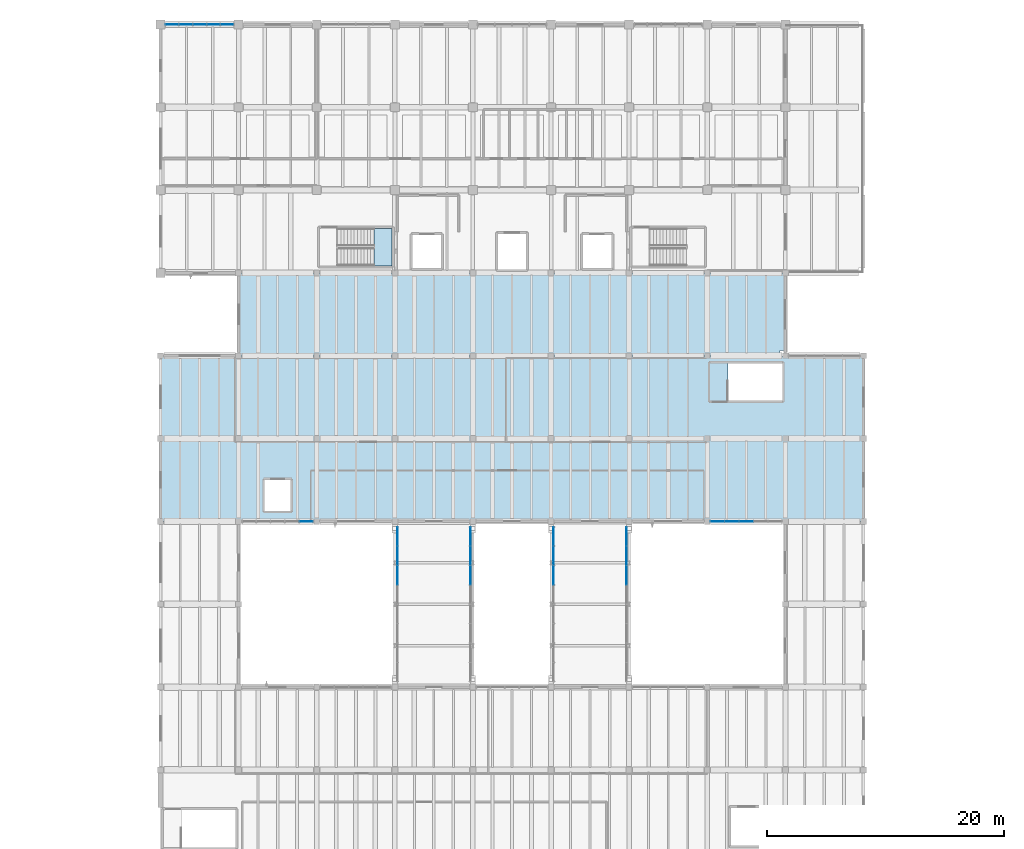
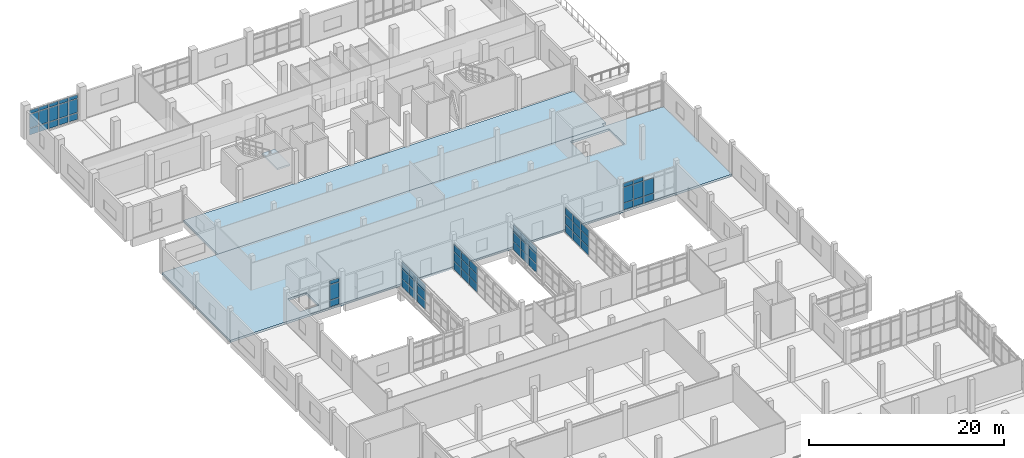
# One storey, part 42 of 65: 62 plates, 3 slabs, 8 elements without a shape of their own.
"""IFC4 building model written with IfcOpenShell, lengths in metres."""

from ifc_helpers import new_model, si_unit, direction, frame, origin, origin_2d, place, context, subcontext, project, spatial, polyline, rectangle, outline, extrude, material, layer, layer_set, type_object, element, aggregate, save


model = new_model("IFC4")

# Units and contexts
model_context = context("Model", 3, precision=1e-05, world=origin(), true_north=direction((0.0, 1.0)))
body_context = subcontext(model_context, "Body", "Model", "MODEL_VIEW")
ifc_project = project(units=[si_unit("LENGTHUNIT", "METRE"), si_unit("AREAUNIT", "SQUARE_METRE"), si_unit("VOLUMEUNIT", "CUBIC_METRE"), si_unit("PLANEANGLEUNIT", "RADIAN"), si_unit("MASSUNIT", "GRAM", prefix="KILO")], contexts=[model_context])

# Site, building, storey
site_placement = place(None, origin())
site = spatial("IfcSite", under=ifc_project, at=site_placement, CompositionType="ELEMENT")
building_placement = place(site_placement, origin())
building = spatial("IfcBuilding", under=site, at=building_placement, Name="Ciguamira Faculty of Natural Sciences", CompositionType="ELEMENT")
storey_placement = place(building_placement, frame((0.0, 0.0, 12.60009765625)))
storey = spatial("IfcBuildingStorey", under=building, at=storey_placement, Name="L03", CompositionType="ELEMENT", Elevation=12.60009765625)

# Curtain wall, plates
ifc_material_1 = material(Name="Anodized aluminium curtain wall", Category="aluminium")
curtain_wall_type_1 = type_object("IfcCurtainWallType", Name="CurtainWall_CW-09", PredefinedType="USERDEFINED", material=ifc_material_1)
curtain_wall_1_placement = place(storey_placement, origin())
curtain_wall_1 = element("IfcCurtainWall", 1, at=curtain_wall_1_placement, inside=storey, type_object=curtain_wall_type_1, Name="L03 unitised curtain wall 0093", ObjectType="UNITISED CURTAIN WALL", PredefinedType="USERDEFINED")
ifc_material_2 = material(Name="Low-E laminated solar glass", Category="glass")
ifc_layer_1 = layer(ifc_material_2, 0.028076171875, Name="Low-E laminated solar glass")
ifc_layer_set_1 = layer_set([ifc_layer_1], Name="Low-E laminated solar glass")
plate_type_1 = type_object("IfcPlateType", Name="CWPanel_CWP-01", PredefinedType="CURTAIN_PANEL", material=ifc_layer_set_1)
plate_1_placement = place(storey_placement, frame((69.6201171875, 73.0, 0.080078125), z_axis=(0.0, 0.0, 1.0), x_axis=(1.0, 0.0, 0.0)))
plate_1 = element("IfcPlate", 2, at=plate_1_placement, type_object=plate_type_1, Name="CW-09 panel 5.1", PredefinedType="CURTAIN_PANEL", context=body_context, shape_type="SweptSolid", body=[
    extrude(rectangle(XDim=1.10009765625, YDim=0.028076171875, at=origin_2d()), origin(), (0.0, 0.0, 1.0), 0.780029296875),
])
plate_2_placement = place(storey_placement, frame((69.6201171875, 73.0, 0.93994140625), z_axis=(0.0, 0.0, 1.0), x_axis=(1.0, 0.0, 0.0)))
plate_2 = element("IfcPlate", 3, at=plate_2_placement, type_object=plate_type_1, Name="CW-09 panel 5.2", PredefinedType="CURTAIN_PANEL", context=body_context, shape_type="SweptSolid", body=[
    extrude(rectangle(XDim=1.10009765625, YDim=0.028076171875, at=origin_2d()), origin(), (0.0, 0.0, 1.0), 1.875),
])
plate_3_placement = place(storey_placement, frame((69.6201171875, 73.0, 2.89501953125), z_axis=(0.0, 0.0, 1.0), x_axis=(1.0, 0.0, 0.0)))
plate_3 = element("IfcPlate", 4, at=plate_3_placement, type_object=plate_type_1, Name="CW-09 panel 5.3", PredefinedType="CURTAIN_PANEL", context=body_context, shape_type="SweptSolid", body=[
    extrude(rectangle(XDim=1.10009765625, YDim=0.028076171875, at=origin_2d()), origin(), (0.0, 0.0, 1.0), 0.429931640625),
])
aggregate(curtain_wall_1, [plate_1, plate_2, plate_3])

curtain_wall_type_2 = type_object("IfcCurtainWallType", Name="CurtainWall_CW-10", PredefinedType="USERDEFINED", material=ifc_material_1)
curtain_wall_2_placement = place(storey_placement, origin())
curtain_wall_2 = element("IfcCurtainWall", 5, at=curtain_wall_2_placement, inside=storey, type_object=curtain_wall_type_2, Name="Link bridge BR-3 glazed curtain wall W", ObjectType="UNITISED CURTAIN WALL", PredefinedType="USERDEFINED")
plate_4_placement = place(storey_placement, frame((77.320068359375, 68.456298828125, 0.06005859375), z_axis=(0.0, 0.0, 1.0), x_axis=(0.0, 1.0, 0.0)))
plate_4 = element("IfcPlate", 6, at=plate_4_placement, type_object=plate_type_1, Name="CW-10 panel 6.1", PredefinedType="CURTAIN_PANEL", context=body_context, shape_type="SweptSolid", body=[
    extrude(rectangle(XDim=1.577392578125, YDim=0.028076171875, at=origin_2d()), origin(), (0.0, 0.0, 1.0), 1.010009765625),
])
plate_5_placement = place(storey_placement, frame((77.320068359375, 68.456298828125, 1.1298828125), z_axis=(0.0, 0.0, 1.0), x_axis=(0.0, 1.0, 0.0)))
plate_5 = element("IfcPlate", 7, at=plate_5_placement, type_object=plate_type_1, Name="CW-10 panel 6.2", PredefinedType="CURTAIN_PANEL", context=body_context, shape_type="SweptSolid", body=[
    extrude(rectangle(XDim=1.577392578125, YDim=0.028076171875, at=origin_2d()), origin(), (0.0, 0.0, 1.0), 1.139892578125),
])
plate_6_placement = place(storey_placement, frame((77.320068359375, 68.456298828125, 2.330078125), z_axis=(0.0, 0.0, 1.0), x_axis=(0.0, 1.0, 0.0)))
plate_6 = element("IfcPlate", 8, at=plate_6_placement, type_object=plate_type_1, Name="CW-10 panel 6.3", PredefinedType="CURTAIN_PANEL", context=body_context, shape_type="SweptSolid", body=[
    extrude(rectangle(XDim=1.577392578125, YDim=0.028076171875, at=origin_2d()), origin(), (0.0, 0.0, 1.0), 0.860107421875),
])
plate_7_placement = place(storey_placement, frame((77.320068359375, 70.09375, 0.06005859375), z_axis=(0.0, 0.0, 1.0), x_axis=(0.0, 1.0, 0.0)))
plate_7 = element("IfcPlate", 9, at=plate_7_placement, type_object=plate_type_1, Name="CW-10 panel 7.1", PredefinedType="CURTAIN_PANEL", context=body_context, shape_type="SweptSolid", body=[
    extrude(rectangle(XDim=1.577392578125, YDim=0.028076171875, at=origin_2d()), origin(), (0.0, 0.0, 1.0), 1.010009765625),
])
plate_8_placement = place(storey_placement, frame((77.320068359375, 70.09375, 1.1298828125), z_axis=(0.0, 0.0, 1.0), x_axis=(0.0, 1.0, 0.0)))
plate_8 = element("IfcPlate", 10, at=plate_8_placement, type_object=plate_type_1, Name="CW-10 panel 7.2", PredefinedType="CURTAIN_PANEL", context=body_context, shape_type="SweptSolid", body=[
    extrude(rectangle(XDim=1.577392578125, YDim=0.028076171875, at=origin_2d()), origin(), (0.0, 0.0, 1.0), 1.139892578125),
])
plate_9_placement = place(storey_placement, frame((77.320068359375, 70.09375, 2.330078125), z_axis=(0.0, 0.0, 1.0), x_axis=(0.0, 1.0, 0.0)))
plate_9 = element("IfcPlate", 11, at=plate_9_placement, type_object=plate_type_1, Name="CW-10 panel 7.3", PredefinedType="CURTAIN_PANEL", context=body_context, shape_type="SweptSolid", body=[
    extrude(rectangle(XDim=1.577392578125, YDim=0.028076171875, at=origin_2d()), origin(), (0.0, 0.0, 1.0), 0.860107421875),
])
plate_10_placement = place(storey_placement, frame((77.320068359375, 71.71630859375, 0.06005859375), z_axis=(0.0, 0.0, 1.0), x_axis=(0.0, 1.0, 0.0)))
plate_10 = element("IfcPlate", 12, at=plate_10_placement, type_object=plate_type_1, Name="CW-10 panel 8.1", PredefinedType="CURTAIN_PANEL", context=body_context, shape_type="SweptSolid", body=[
    extrude(rectangle(XDim=1.547607421875, YDim=0.028076171875, at=origin_2d()), origin(), (0.0, 0.0, 1.0), 1.010009765625),
])
plate_11_placement = place(storey_placement, frame((77.320068359375, 71.71630859375, 1.1298828125), z_axis=(0.0, 0.0, 1.0), x_axis=(0.0, 1.0, 0.0)))
plate_11 = element("IfcPlate", 13, at=plate_11_placement, type_object=plate_type_1, Name="CW-10 panel 8.2", PredefinedType="CURTAIN_PANEL", context=body_context, shape_type="SweptSolid", body=[
    extrude(rectangle(XDim=1.547607421875, YDim=0.028076171875, at=origin_2d()), origin(), (0.0, 0.0, 1.0), 1.139892578125),
])
plate_12_placement = place(storey_placement, frame((77.320068359375, 71.71630859375, 2.330078125), z_axis=(0.0, 0.0, 1.0), x_axis=(0.0, 1.0, 0.0)))
plate_12 = element("IfcPlate", 14, at=plate_12_placement, type_object=plate_type_1, Name="CW-10 panel 8.3", PredefinedType="CURTAIN_PANEL", context=body_context, shape_type="SweptSolid", body=[
    extrude(rectangle(XDim=1.547607421875, YDim=0.028076171875, at=origin_2d()), origin(), (0.0, 0.0, 1.0), 0.860107421875),
])
aggregate(curtain_wall_2, [plate_4, plate_5, plate_6, plate_7, plate_8, plate_9, plate_10, plate_11, plate_12])

curtain_wall_type_3 = type_object("IfcCurtainWallType", Name="CurtainWall_CW-11", PredefinedType="USERDEFINED", material=ifc_material_1)
curtain_wall_3_placement = place(storey_placement, origin())
curtain_wall_3 = element("IfcCurtainWall", 15, at=curtain_wall_3_placement, inside=storey, type_object=curtain_wall_type_3, Name="Link bridge BR-3 glazed curtain wall E", ObjectType="UNITISED CURTAIN WALL", PredefinedType="USERDEFINED")
plate_13_placement = place(storey_placement, frame((83.47998046875, 68.456298828125, 0.06005859375), z_axis=(0.0, 0.0, 1.0), x_axis=(0.0, 1.0, 0.0)))
plate_13 = element("IfcPlate", 16, at=plate_13_placement, type_object=plate_type_1, Name="CW-11 panel 6.1", PredefinedType="CURTAIN_PANEL", context=body_context, shape_type="SweptSolid", body=[
    extrude(rectangle(XDim=1.577392578125, YDim=0.028076171875, at=origin_2d()), origin(), (0.0, 0.0, 1.0), 1.010009765625),
])
plate_14_placement = place(storey_placement, frame((83.47998046875, 68.456298828125, 1.1298828125), z_axis=(0.0, 0.0, 1.0), x_axis=(0.0, 1.0, 0.0)))
plate_14 = element("IfcPlate", 17, at=plate_14_placement, type_object=plate_type_1, Name="CW-11 panel 6.2", PredefinedType="CURTAIN_PANEL", context=body_context, shape_type="SweptSolid", body=[
    extrude(rectangle(XDim=1.577392578125, YDim=0.028076171875, at=origin_2d()), origin(), (0.0, 0.0, 1.0), 1.139892578125),
])
plate_15_placement = place(storey_placement, frame((83.47998046875, 68.456298828125, 2.330078125), z_axis=(0.0, 0.0, 1.0), x_axis=(0.0, 1.0, 0.0)))
plate_15 = element("IfcPlate", 18, at=plate_15_placement, type_object=plate_type_1, Name="CW-11 panel 6.3", PredefinedType="CURTAIN_PANEL", context=body_context, shape_type="SweptSolid", body=[
    extrude(rectangle(XDim=1.577392578125, YDim=0.028076171875, at=origin_2d()), origin(), (0.0, 0.0, 1.0), 0.860107421875),
])
plate_16_placement = place(storey_placement, frame((83.47998046875, 70.09375, 0.06005859375), z_axis=(0.0, 0.0, 1.0), x_axis=(0.0, 1.0, 0.0)))
plate_16 = element("IfcPlate", 19, at=plate_16_placement, type_object=plate_type_1, Name="CW-11 panel 7.1", PredefinedType="CURTAIN_PANEL", context=body_context, shape_type="SweptSolid", body=[
    extrude(rectangle(XDim=1.577392578125, YDim=0.028076171875, at=origin_2d()), origin(), (0.0, 0.0, 1.0), 1.010009765625),
])
plate_17_placement = place(storey_placement, frame((83.47998046875, 70.09375, 1.1298828125), z_axis=(0.0, 0.0, 1.0), x_axis=(0.0, 1.0, 0.0)))
plate_17 = element("IfcPlate", 20, at=plate_17_placement, type_object=plate_type_1, Name="CW-11 panel 7.2", PredefinedType="CURTAIN_PANEL", context=body_context, shape_type="SweptSolid", body=[
    extrude(rectangle(XDim=1.577392578125, YDim=0.028076171875, at=origin_2d()), origin(), (0.0, 0.0, 1.0), 1.139892578125),
])
plate_18_placement = place(storey_placement, frame((83.47998046875, 70.09375, 2.330078125), z_axis=(0.0, 0.0, 1.0), x_axis=(0.0, 1.0, 0.0)))
plate_18 = element("IfcPlate", 21, at=plate_18_placement, type_object=plate_type_1, Name="CW-11 panel 7.3", PredefinedType="CURTAIN_PANEL", context=body_context, shape_type="SweptSolid", body=[
    extrude(rectangle(XDim=1.577392578125, YDim=0.028076171875, at=origin_2d()), origin(), (0.0, 0.0, 1.0), 0.860107421875),
])
plate_19_placement = place(storey_placement, frame((83.47998046875, 71.71630859375, 0.06005859375), z_axis=(0.0, 0.0, 1.0), x_axis=(0.0, 1.0, 0.0)))
plate_19 = element("IfcPlate", 22, at=plate_19_placement, type_object=plate_type_1, Name="CW-11 panel 8.1", PredefinedType="CURTAIN_PANEL", context=body_context, shape_type="SweptSolid", body=[
    extrude(rectangle(XDim=1.547607421875, YDim=0.028076171875, at=origin_2d()), origin(), (0.0, 0.0, 1.0), 1.010009765625),
])
plate_20_placement = place(storey_placement, frame((83.47998046875, 71.71630859375, 1.1298828125), z_axis=(0.0, 0.0, 1.0), x_axis=(0.0, 1.0, 0.0)))
plate_20 = element("IfcPlate", 23, at=plate_20_placement, type_object=plate_type_1, Name="CW-11 panel 8.2", PredefinedType="CURTAIN_PANEL", context=body_context, shape_type="SweptSolid", body=[
    extrude(rectangle(XDim=1.547607421875, YDim=0.028076171875, at=origin_2d()), origin(), (0.0, 0.0, 1.0), 1.139892578125),
])
plate_21_placement = place(storey_placement, frame((83.47998046875, 71.71630859375, 2.330078125), z_axis=(0.0, 0.0, 1.0), x_axis=(0.0, 1.0, 0.0)))
plate_21 = element("IfcPlate", 24, at=plate_21_placement, type_object=plate_type_1, Name="CW-11 panel 8.3", PredefinedType="CURTAIN_PANEL", context=body_context, shape_type="SweptSolid", body=[
    extrude(rectangle(XDim=1.547607421875, YDim=0.028076171875, at=origin_2d()), origin(), (0.0, 0.0, 1.0), 0.860107421875),
])
aggregate(curtain_wall_3, [plate_13, plate_14, plate_15, plate_16, plate_17, plate_18, plate_19, plate_20, plate_21])

curtain_wall_type_4 = type_object("IfcCurtainWallType", Name="CurtainWall_CW-12", PredefinedType="USERDEFINED", material=ifc_material_1)
curtain_wall_4_placement = place(storey_placement, origin())
curtain_wall_4 = element("IfcCurtainWall", 25, at=curtain_wall_4_placement, inside=storey, type_object=curtain_wall_type_4, Name="Link bridge BR-4 glazed curtain wall W", ObjectType="UNITISED CURTAIN WALL", PredefinedType="USERDEFINED")
plate_22_placement = place(storey_placement, frame((90.52001953125, 68.456298828125, 0.06005859375), z_axis=(0.0, 0.0, 1.0), x_axis=(0.0, 1.0, 0.0)))
plate_22 = element("IfcPlate", 26, at=plate_22_placement, type_object=plate_type_1, Name="CW-12 panel 6.1", PredefinedType="CURTAIN_PANEL", context=body_context, shape_type="SweptSolid", body=[
    extrude(rectangle(XDim=1.577392578125, YDim=0.028076171875, at=origin_2d()), origin(), (0.0, 0.0, 1.0), 1.010009765625),
])
plate_23_placement = place(storey_placement, frame((90.52001953125, 68.456298828125, 1.1298828125), z_axis=(0.0, 0.0, 1.0), x_axis=(0.0, 1.0, 0.0)))
plate_23 = element("IfcPlate", 27, at=plate_23_placement, type_object=plate_type_1, Name="CW-12 panel 6.2", PredefinedType="CURTAIN_PANEL", context=body_context, shape_type="SweptSolid", body=[
    extrude(rectangle(XDim=1.577392578125, YDim=0.028076171875, at=origin_2d()), origin(), (0.0, 0.0, 1.0), 1.139892578125),
])
plate_24_placement = place(storey_placement, frame((90.52001953125, 68.456298828125, 2.330078125), z_axis=(0.0, 0.0, 1.0), x_axis=(0.0, 1.0, 0.0)))
plate_24 = element("IfcPlate", 28, at=plate_24_placement, type_object=plate_type_1, Name="CW-12 panel 6.3", PredefinedType="CURTAIN_PANEL", context=body_context, shape_type="SweptSolid", body=[
    extrude(rectangle(XDim=1.577392578125, YDim=0.028076171875, at=origin_2d()), origin(), (0.0, 0.0, 1.0), 0.860107421875),
])
plate_25_placement = place(storey_placement, frame((90.52001953125, 70.09375, 0.06005859375), z_axis=(0.0, 0.0, 1.0), x_axis=(0.0, 1.0, 0.0)))
plate_25 = element("IfcPlate", 29, at=plate_25_placement, type_object=plate_type_1, Name="CW-12 panel 7.1", PredefinedType="CURTAIN_PANEL", context=body_context, shape_type="SweptSolid", body=[
    extrude(rectangle(XDim=1.577392578125, YDim=0.028076171875, at=origin_2d()), origin(), (0.0, 0.0, 1.0), 1.010009765625),
])
plate_26_placement = place(storey_placement, frame((90.52001953125, 70.09375, 1.1298828125), z_axis=(0.0, 0.0, 1.0), x_axis=(0.0, 1.0, 0.0)))
plate_26 = element("IfcPlate", 30, at=plate_26_placement, type_object=plate_type_1, Name="CW-12 panel 7.2", PredefinedType="CURTAIN_PANEL", context=body_context, shape_type="SweptSolid", body=[
    extrude(rectangle(XDim=1.577392578125, YDim=0.028076171875, at=origin_2d()), origin(), (0.0, 0.0, 1.0), 1.139892578125),
])
plate_27_placement = place(storey_placement, frame((90.52001953125, 70.09375, 2.330078125), z_axis=(0.0, 0.0, 1.0), x_axis=(0.0, 1.0, 0.0)))
plate_27 = element("IfcPlate", 31, at=plate_27_placement, type_object=plate_type_1, Name="CW-12 panel 7.3", PredefinedType="CURTAIN_PANEL", context=body_context, shape_type="SweptSolid", body=[
    extrude(rectangle(XDim=1.577392578125, YDim=0.028076171875, at=origin_2d()), origin(), (0.0, 0.0, 1.0), 0.860107421875),
])
plate_28_placement = place(storey_placement, frame((90.52001953125, 71.71630859375, 0.06005859375), z_axis=(0.0, 0.0, 1.0), x_axis=(0.0, 1.0, 0.0)))
plate_28 = element("IfcPlate", 32, at=plate_28_placement, type_object=plate_type_1, Name="CW-12 panel 8.1", PredefinedType="CURTAIN_PANEL", context=body_context, shape_type="SweptSolid", body=[
    extrude(rectangle(XDim=1.547607421875, YDim=0.028076171875, at=origin_2d()), origin(), (0.0, 0.0, 1.0), 1.010009765625),
])
plate_29_placement = place(storey_placement, frame((90.52001953125, 71.71630859375, 1.1298828125), z_axis=(0.0, 0.0, 1.0), x_axis=(0.0, 1.0, 0.0)))
plate_29 = element("IfcPlate", 33, at=plate_29_placement, type_object=plate_type_1, Name="CW-12 panel 8.2", PredefinedType="CURTAIN_PANEL", context=body_context, shape_type="SweptSolid", body=[
    extrude(rectangle(XDim=1.547607421875, YDim=0.028076171875, at=origin_2d()), origin(), (0.0, 0.0, 1.0), 1.139892578125),
])
plate_30_placement = place(storey_placement, frame((90.52001953125, 71.71630859375, 2.330078125), z_axis=(0.0, 0.0, 1.0), x_axis=(0.0, 1.0, 0.0)))
plate_30 = element("IfcPlate", 34, at=plate_30_placement, type_object=plate_type_1, Name="CW-12 panel 8.3", PredefinedType="CURTAIN_PANEL", context=body_context, shape_type="SweptSolid", body=[
    extrude(rectangle(XDim=1.547607421875, YDim=0.028076171875, at=origin_2d()), origin(), (0.0, 0.0, 1.0), 0.860107421875),
])
aggregate(curtain_wall_4, [plate_22, plate_23, plate_24, plate_25, plate_26, plate_27, plate_28, plate_29, plate_30])

curtain_wall_type_5 = type_object("IfcCurtainWallType", Name="CurtainWall_CW-01", PredefinedType="USERDEFINED", material=ifc_material_1)
curtain_wall_5_placement = place(storey_placement, origin())
curtain_wall_5 = element("IfcCurtainWall", 35, at=curtain_wall_5_placement, inside=storey, type_object=curtain_wall_type_5, Name="Link bridge BR-4 glazed curtain wall E", ObjectType="UNITISED CURTAIN WALL", PredefinedType="USERDEFINED")
plate_31_placement = place(storey_placement, frame((96.679931640625, 68.456298828125, 0.06005859375), z_axis=(0.0, 0.0, 1.0), x_axis=(0.0, 1.0, 0.0)))
plate_31 = element("IfcPlate", 36, at=plate_31_placement, type_object=plate_type_1, Name="CW-01 panel 6.1", PredefinedType="CURTAIN_PANEL", context=body_context, shape_type="SweptSolid", body=[
    extrude(rectangle(XDim=1.577392578125, YDim=0.028076171875, at=origin_2d()), origin(), (0.0, 0.0, 1.0), 1.010009765625),
])
plate_32_placement = place(storey_placement, frame((96.679931640625, 68.456298828125, 1.1298828125), z_axis=(0.0, 0.0, 1.0), x_axis=(0.0, 1.0, 0.0)))
plate_32 = element("IfcPlate", 37, at=plate_32_placement, type_object=plate_type_1, Name="CW-01 panel 6.2", PredefinedType="CURTAIN_PANEL", context=body_context, shape_type="SweptSolid", body=[
    extrude(rectangle(XDim=1.577392578125, YDim=0.028076171875, at=origin_2d()), origin(), (0.0, 0.0, 1.0), 1.139892578125),
])
plate_33_placement = place(storey_placement, frame((96.679931640625, 68.456298828125, 2.330078125), z_axis=(0.0, 0.0, 1.0), x_axis=(0.0, 1.0, 0.0)))
plate_33 = element("IfcPlate", 38, at=plate_33_placement, type_object=plate_type_1, Name="CW-01 panel 6.3", PredefinedType="CURTAIN_PANEL", context=body_context, shape_type="SweptSolid", body=[
    extrude(rectangle(XDim=1.577392578125, YDim=0.028076171875, at=origin_2d()), origin(), (0.0, 0.0, 1.0), 0.860107421875),
])
plate_34_placement = place(storey_placement, frame((96.679931640625, 70.09375, 0.06005859375), z_axis=(0.0, 0.0, 1.0), x_axis=(0.0, 1.0, 0.0)))
plate_34 = element("IfcPlate", 39, at=plate_34_placement, type_object=plate_type_1, Name="CW-01 panel 7.1", PredefinedType="CURTAIN_PANEL", context=body_context, shape_type="SweptSolid", body=[
    extrude(rectangle(XDim=1.577392578125, YDim=0.028076171875, at=origin_2d()), origin(), (0.0, 0.0, 1.0), 1.010009765625),
])
plate_35_placement = place(storey_placement, frame((96.679931640625, 70.09375, 1.1298828125), z_axis=(0.0, 0.0, 1.0), x_axis=(0.0, 1.0, 0.0)))
plate_35 = element("IfcPlate", 40, at=plate_35_placement, type_object=plate_type_1, Name="CW-01 panel 7.2", PredefinedType="CURTAIN_PANEL", context=body_context, shape_type="SweptSolid", body=[
    extrude(rectangle(XDim=1.577392578125, YDim=0.028076171875, at=origin_2d()), origin(), (0.0, 0.0, 1.0), 1.139892578125),
])
plate_36_placement = place(storey_placement, frame((96.679931640625, 70.09375, 2.330078125), z_axis=(0.0, 0.0, 1.0), x_axis=(0.0, 1.0, 0.0)))
plate_36 = element("IfcPlate", 41, at=plate_36_placement, type_object=plate_type_1, Name="CW-01 panel 7.3", PredefinedType="CURTAIN_PANEL", context=body_context, shape_type="SweptSolid", body=[
    extrude(rectangle(XDim=1.577392578125, YDim=0.028076171875, at=origin_2d()), origin(), (0.0, 0.0, 1.0), 0.860107421875),
])
plate_37_placement = place(storey_placement, frame((96.679931640625, 71.71630859375, 0.06005859375), z_axis=(0.0, 0.0, 1.0), x_axis=(0.0, 1.0, 0.0)))
plate_37 = element("IfcPlate", 42, at=plate_37_placement, type_object=plate_type_1, Name="CW-01 panel 8.1", PredefinedType="CURTAIN_PANEL", context=body_context, shape_type="SweptSolid", body=[
    extrude(rectangle(XDim=1.547607421875, YDim=0.028076171875, at=origin_2d()), origin(), (0.0, 0.0, 1.0), 1.010009765625),
])
plate_38_placement = place(storey_placement, frame((96.679931640625, 71.71630859375, 1.1298828125), z_axis=(0.0, 0.0, 1.0), x_axis=(0.0, 1.0, 0.0)))
plate_38 = element("IfcPlate", 43, at=plate_38_placement, type_object=plate_type_1, Name="CW-01 panel 8.2", PredefinedType="CURTAIN_PANEL", context=body_context, shape_type="SweptSolid", body=[
    extrude(rectangle(XDim=1.547607421875, YDim=0.028076171875, at=origin_2d()), origin(), (0.0, 0.0, 1.0), 1.139892578125),
])
plate_39_placement = place(storey_placement, frame((96.679931640625, 71.71630859375, 2.330078125), z_axis=(0.0, 0.0, 1.0), x_axis=(0.0, 1.0, 0.0)))
plate_39 = element("IfcPlate", 44, at=plate_39_placement, type_object=plate_type_1, Name="CW-01 panel 8.3", PredefinedType="CURTAIN_PANEL", context=body_context, shape_type="SweptSolid", body=[
    extrude(rectangle(XDim=1.547607421875, YDim=0.028076171875, at=origin_2d()), origin(), (0.0, 0.0, 1.0), 0.860107421875),
])
aggregate(curtain_wall_5, [plate_31, plate_32, plate_33, plate_34, plate_35, plate_36, plate_37, plate_38, plate_39])

curtain_wall_6_placement = place(storey_placement, origin())
curtain_wall_6 = element("IfcCurtainWall", 45, at=curtain_wall_6_placement, inside=storey, type_object=curtain_wall_type_2, Name="L03 unitised curtain wall 0094", ObjectType="UNITISED CURTAIN WALL", PredefinedType="USERDEFINED")
ifc_layer_2 = layer(ifc_material_2, 0.035888671875, Name="Low-E laminated solar glass")
ifc_layer_set_2 = layer_set([ifc_layer_2], Name="Low-E laminated solar glass")
plate_type_2 = type_object("IfcPlateType", Name="CWPanel_CWP-02", PredefinedType="CURTAIN_PANEL", material=ifc_layer_set_2)
plate_40_placement = place(storey_placement, frame((104.375, 73.0, 0.059814453125), z_axis=(0.0, 0.0, 1.0), x_axis=(1.0, 0.0, 0.0)))
plate_40 = element("IfcPlate", 46, at=plate_40_placement, type_object=plate_type_2, Name="CW-10 panel 1.1", PredefinedType="CURTAIN_PANEL", context=body_context, shape_type="SweptSolid", body=[
    extrude(rectangle(XDim=1.1298828125, YDim=0.035888671875, at=origin_2d()), origin(), (0.0, 0.0, 1.0), 0.81005859375),
])
plate_41_placement = place(storey_placement, frame((104.375, 73.0, 0.929931640625), z_axis=(0.0, 0.0, 1.0), x_axis=(1.0, 0.0, 0.0)))
plate_41 = element("IfcPlate", 47, at=plate_41_placement, type_object=plate_type_2, Name="CW-10 panel 1.2", PredefinedType="CURTAIN_PANEL", context=body_context, shape_type="SweptSolid", body=[
    extrude(rectangle(XDim=1.1298828125, YDim=0.035888671875, at=origin_2d()), origin(), (0.0, 0.0, 1.0), 1.89501953125),
])
plate_42_placement = place(storey_placement, frame((104.375, 73.0, 2.885009765625), z_axis=(0.0, 0.0, 1.0), x_axis=(1.0, 0.0, 0.0)))
plate_42 = element("IfcPlate", 48, at=plate_42_placement, type_object=plate_type_2, Name="CW-10 panel 1.3", PredefinedType="CURTAIN_PANEL", context=body_context, shape_type="SweptSolid", body=[
    extrude(rectangle(XDim=1.1298828125, YDim=0.035888671875, at=origin_2d()), origin(), (0.0, 0.0, 1.0), 0.4599609375),
])
plate_43_placement = place(storey_placement, frame((105.580078125, 73.0, 0.059814453125), z_axis=(0.0, 0.0, 1.0), x_axis=(1.0, 0.0, 0.0)))
plate_43 = element("IfcPlate", 49, at=plate_43_placement, type_object=plate_type_2, Name="CW-10 panel 2.1", PredefinedType="CURTAIN_PANEL", context=body_context, shape_type="SweptSolid", body=[
    extrude(rectangle(XDim=1.159912109375, YDim=0.035888671875, at=origin_2d()), origin(), (0.0, 0.0, 1.0), 0.81005859375),
])
plate_44_placement = place(storey_placement, frame((105.580078125, 73.0, 0.929931640625), z_axis=(0.0, 0.0, 1.0), x_axis=(1.0, 0.0, 0.0)))
plate_44 = element("IfcPlate", 50, at=plate_44_placement, type_object=plate_type_2, Name="CW-10 panel 2.2", PredefinedType="CURTAIN_PANEL", context=body_context, shape_type="SweptSolid", body=[
    extrude(rectangle(XDim=1.159912109375, YDim=0.035888671875, at=origin_2d()), origin(), (0.0, 0.0, 1.0), 1.89501953125),
])
plate_45_placement = place(storey_placement, frame((105.580078125, 73.0, 2.885009765625), z_axis=(0.0, 0.0, 1.0), x_axis=(1.0, 0.0, 0.0)))
plate_45 = element("IfcPlate", 51, at=plate_45_placement, type_object=plate_type_2, Name="CW-10 panel 2.3", PredefinedType="CURTAIN_PANEL", context=body_context, shape_type="SweptSolid", body=[
    extrude(rectangle(XDim=1.159912109375, YDim=0.035888671875, at=origin_2d()), origin(), (0.0, 0.0, 1.0), 0.4599609375),
])
plate_46_placement = place(storey_placement, frame((106.800048828125, 73.0, 0.059814453125), z_axis=(0.0, 0.0, 1.0), x_axis=(1.0, 0.0, 0.0)))
plate_46 = element("IfcPlate", 52, at=plate_46_placement, type_object=plate_type_2, Name="CW-10 panel 3.1", PredefinedType="CURTAIN_PANEL", context=body_context, shape_type="SweptSolid", body=[
    extrude(rectangle(XDim=1.159912109375, YDim=0.035888671875, at=origin_2d()), origin(), (0.0, 0.0, 1.0), 0.81005859375),
])
plate_47_placement = place(storey_placement, frame((106.800048828125, 73.0, 0.929931640625), z_axis=(0.0, 0.0, 1.0), x_axis=(1.0, 0.0, 0.0)))
plate_47 = element("IfcPlate", 53, at=plate_47_placement, type_object=plate_type_2, Name="CW-10 panel 3.2", PredefinedType="CURTAIN_PANEL", context=body_context, shape_type="SweptSolid", body=[
    extrude(rectangle(XDim=1.159912109375, YDim=0.035888671875, at=origin_2d()), origin(), (0.0, 0.0, 1.0), 1.89501953125),
])
aggregate(curtain_wall_6, [plate_40, plate_41, plate_42, plate_43, plate_44, plate_45, plate_46, plate_47])

curtain_wall_7_placement = place(storey_placement, origin())
curtain_wall_7 = element("IfcCurtainWall", 54, at=curtain_wall_7_placement, inside=storey, type_object=curtain_wall_type_4, Name="L03 unitised curtain wall 0096", ObjectType="UNITISED CURTAIN WALL", PredefinedType="USERDEFINED")
plate_48_placement = place(storey_placement, frame((58.280029296875, 115.0, 0.080078125), z_axis=(0.0, 0.0, 1.0), x_axis=(1.0, 0.0, 0.0)))
plate_48 = element("IfcPlate", 55, at=plate_48_placement, type_object=plate_type_2, Name="CW-12 panel 1.1", PredefinedType="CURTAIN_PANEL", context=body_context, shape_type="SweptSolid", body=[
    extrude(rectangle(XDim=1.050048828125, YDim=0.035888671875, at=origin_2d()), origin(), (0.0, 0.0, 1.0), 0.780029296875),
])
plate_49_placement = place(storey_placement, frame((58.280029296875, 115.0, 0.93994140625), z_axis=(0.0, 0.0, 1.0), x_axis=(1.0, 0.0, 0.0)))
plate_49 = element("IfcPlate", 56, at=plate_49_placement, type_object=plate_type_2, Name="CW-12 panel 1.2", PredefinedType="CURTAIN_PANEL", context=body_context, shape_type="SweptSolid", body=[
    extrude(rectangle(XDim=1.050048828125, YDim=0.035888671875, at=origin_2d()), origin(), (0.0, 0.0, 1.0), 1.705078125),
])
plate_50_placement = place(storey_placement, frame((58.280029296875, 115.0, 2.72509765625), z_axis=(0.0, 0.0, 1.0), x_axis=(1.0, 0.0, 0.0)))
plate_50 = element("IfcPlate", 57, at=plate_50_placement, type_object=plate_type_2, Name="CW-12 panel 1.3", PredefinedType="CURTAIN_PANEL", context=body_context, shape_type="SweptSolid", body=[
    extrude(rectangle(XDim=1.050048828125, YDim=0.035888671875, at=origin_2d()), origin(), (0.0, 0.0, 1.0), 0.429931640625),
])
plate_51_placement = place(storey_placement, frame((59.429931640625, 115.0, 0.080078125), z_axis=(0.0, 0.0, 1.0), x_axis=(1.0, 0.0, 0.0)))
plate_51 = element("IfcPlate", 58, at=plate_51_placement, type_object=plate_type_2, Name="CW-12 panel 2.1", PredefinedType="CURTAIN_PANEL", context=body_context, shape_type="SweptSolid", body=[
    extrude(rectangle(XDim=1.090087890625, YDim=0.035888671875, at=origin_2d()), origin(), (0.0, 0.0, 1.0), 0.780029296875),
])
plate_52_placement = place(storey_placement, frame((59.429931640625, 115.0, 0.93994140625), z_axis=(0.0, 0.0, 1.0), x_axis=(1.0, 0.0, 0.0)))
plate_52 = element("IfcPlate", 59, at=plate_52_placement, type_object=plate_type_2, Name="CW-12 panel 2.2", PredefinedType="CURTAIN_PANEL", context=body_context, shape_type="SweptSolid", body=[
    extrude(rectangle(XDim=1.090087890625, YDim=0.035888671875, at=origin_2d()), origin(), (0.0, 0.0, 1.0), 1.705078125),
])
plate_53_placement = place(storey_placement, frame((59.429931640625, 115.0, 2.72509765625), z_axis=(0.0, 0.0, 1.0), x_axis=(1.0, 0.0, 0.0)))
plate_53 = element("IfcPlate", 60, at=plate_53_placement, type_object=plate_type_2, Name="CW-12 panel 2.3", PredefinedType="CURTAIN_PANEL", context=body_context, shape_type="SweptSolid", body=[
    extrude(rectangle(XDim=1.090087890625, YDim=0.035888671875, at=origin_2d()), origin(), (0.0, 0.0, 1.0), 0.429931640625),
])
plate_54_placement = place(storey_placement, frame((60.60009765625, 115.0, 0.080078125), z_axis=(0.0, 0.0, 1.0), x_axis=(1.0, 0.0, 0.0)))
plate_54 = element("IfcPlate", 61, at=plate_54_placement, type_object=plate_type_2, Name="CW-12 panel 3.1", PredefinedType="CURTAIN_PANEL", context=body_context, shape_type="SweptSolid", body=[
    extrude(rectangle(XDim=1.090087890625, YDim=0.035888671875, at=origin_2d()), origin(), (0.0, 0.0, 1.0), 0.780029296875),
])
plate_55_placement = place(storey_placement, frame((60.60009765625, 115.0, 0.93994140625), z_axis=(0.0, 0.0, 1.0), x_axis=(1.0, 0.0, 0.0)))
plate_55 = element("IfcPlate", 62, at=plate_55_placement, type_object=plate_type_2, Name="CW-12 panel 3.2", PredefinedType="CURTAIN_PANEL", context=body_context, shape_type="SweptSolid", body=[
    extrude(rectangle(XDim=1.090087890625, YDim=0.035888671875, at=origin_2d()), origin(), (0.0, 0.0, 1.0), 1.705078125),
])
plate_56_placement = place(storey_placement, frame((60.60009765625, 115.0, 2.72509765625), z_axis=(0.0, 0.0, 1.0), x_axis=(1.0, 0.0, 0.0)))
plate_56 = element("IfcPlate", 63, at=plate_56_placement, type_object=plate_type_2, Name="CW-12 panel 3.3", PredefinedType="CURTAIN_PANEL", context=body_context, shape_type="SweptSolid", body=[
    extrude(rectangle(XDim=1.090087890625, YDim=0.035888671875, at=origin_2d()), origin(), (0.0, 0.0, 1.0), 0.429931640625),
])
plate_57_placement = place(storey_placement, frame((61.77001953125, 115.0, 0.080078125), z_axis=(0.0, 0.0, 1.0), x_axis=(1.0, 0.0, 0.0)))
plate_57 = element("IfcPlate", 64, at=plate_57_placement, type_object=plate_type_2, Name="CW-12 panel 4.1", PredefinedType="CURTAIN_PANEL", context=body_context, shape_type="SweptSolid", body=[
    extrude(rectangle(XDim=1.090087890625, YDim=0.035888671875, at=origin_2d()), origin(), (0.0, 0.0, 1.0), 0.780029296875),
])
plate_58_placement = place(storey_placement, frame((61.77001953125, 115.0, 0.93994140625), z_axis=(0.0, 0.0, 1.0), x_axis=(1.0, 0.0, 0.0)))
plate_58 = element("IfcPlate", 65, at=plate_58_placement, type_object=plate_type_2, Name="CW-12 panel 4.2", PredefinedType="CURTAIN_PANEL", context=body_context, shape_type="SweptSolid", body=[
    extrude(rectangle(XDim=1.090087890625, YDim=0.035888671875, at=origin_2d()), origin(), (0.0, 0.0, 1.0), 1.705078125),
])
plate_59_placement = place(storey_placement, frame((61.77001953125, 115.0, 2.72509765625), z_axis=(0.0, 0.0, 1.0), x_axis=(1.0, 0.0, 0.0)))
plate_59 = element("IfcPlate", 66, at=plate_59_placement, type_object=plate_type_2, Name="CW-12 panel 4.3", PredefinedType="CURTAIN_PANEL", context=body_context, shape_type="SweptSolid", body=[
    extrude(rectangle(XDim=1.090087890625, YDim=0.035888671875, at=origin_2d()), origin(), (0.0, 0.0, 1.0), 0.429931640625),
])
plate_60_placement = place(storey_placement, frame((62.919921875, 115.0, 0.080078125), z_axis=(0.0, 0.0, 1.0), x_axis=(1.0, 0.0, 0.0)))
plate_60 = element("IfcPlate", 67, at=plate_60_placement, type_object=plate_type_2, Name="CW-12 panel 5.1", PredefinedType="CURTAIN_PANEL", context=body_context, shape_type="SweptSolid", body=[
    extrude(rectangle(XDim=1.050048828125, YDim=0.035888671875, at=origin_2d()), origin(), (0.0, 0.0, 1.0), 0.780029296875),
])
plate_61_placement = place(storey_placement, frame((62.919921875, 115.0, 0.93994140625), z_axis=(0.0, 0.0, 1.0), x_axis=(1.0, 0.0, 0.0)))
plate_61 = element("IfcPlate", 68, at=plate_61_placement, type_object=plate_type_2, Name="CW-12 panel 5.2", PredefinedType="CURTAIN_PANEL", context=body_context, shape_type="SweptSolid", body=[
    extrude(rectangle(XDim=1.050048828125, YDim=0.035888671875, at=origin_2d()), origin(), (0.0, 0.0, 1.0), 1.705078125),
])
plate_62_placement = place(storey_placement, frame((62.919921875, 115.0, 2.72509765625), z_axis=(0.0, 0.0, 1.0), x_axis=(1.0, 0.0, 0.0)))
plate_62 = element("IfcPlate", 69, at=plate_62_placement, type_object=plate_type_2, Name="CW-12 panel 5.3", PredefinedType="CURTAIN_PANEL", context=body_context, shape_type="SweptSolid", body=[
    extrude(rectangle(XDim=1.050048828125, YDim=0.035888671875, at=origin_2d()), origin(), (0.0, 0.0, 1.0), 0.429931640625),
])
aggregate(curtain_wall_7, [plate_48, plate_49, plate_50, plate_51, plate_52, plate_53, plate_54, plate_55, plate_56, plate_57, plate_58, plate_59, plate_60, plate_61, plate_62])

# Slabs
ifc_material_3 = material(Name="Concrete C40/50", Category="concrete")
ifc_layer_3 = layer(ifc_material_3, 0.280029296875, Name="Concrete C40/50")
ifc_layer_set_3 = layer_set([ifc_layer_3], Name="Concrete C40/50")
slab_type_1 = type_object("IfcSlabType", Name="Slab_SF-03_280", PredefinedType="FLOOR", material=ifc_layer_set_3)
slab_1_placement = place(storey_placement, frame((0.0, 0.0, -0.280029296875)))
element("IfcSlab", 70, at=slab_1_placement, inside=storey, type_object=slab_type_1, Name="L03 V4N structural slab", PredefinedType="FLOOR", context=body_context, shape_type="SweptSolid", body=[
    extrude(outline(polyline([(57.300048828125, 73.0), (116.699951171875, 73.0), (116.699951171875, 87.0), (57.300048828125, 87.0), (57.300048828125, 73.0)]), holes=[polyline([(105.260009765625, 83.199951171875), (109.85009765625, 83.199951171875), (109.85009765625, 86.360107421875), (105.260009765625, 86.360107421875), (105.260009765625, 83.199951171875)]), polyline([(66.10009765625, 73.89990234375), (68.300048828125, 73.89990234375), (68.300048828125, 76.5), (66.10009765625, 76.5), (66.10009765625, 73.89990234375)])]), origin(), (0.0, 0.0, 1.0), 0.280029296875),
])
slab_2_placement = place(storey_placement, frame((0.0, 0.0, -0.280029296875)))
element("IfcSlab", 71, at=slab_2_placement, inside=storey, type_object=slab_type_1, Name="L03 V4K structural slab", PredefinedType="FLOOR", context=body_context, shape_type="SweptSolid", body=[
    extrude(outline(polyline([(63.89990234375, 87.0), (109.64990234375, 87.0), (109.64990234375, 87.449951171875), (110.10009765625, 87.449951171875), (110.10009765625, 94.0), (63.89990234375, 94.0), (63.89990234375, 87.0)])), origin(), (0.0, 0.0, 1.0), 0.280029296875),
])

# Stair, slab
stair_type = type_object("IfcStairType", Name="Stair_STR-01", PredefinedType="HALF_TURN_STAIR", material=ifc_material_3)
stair_placement = place(storey_placement, origin())
stair = element("IfcStair", 72, at=stair_placement, inside=storey, type_object=stair_type, Name="L03 Tower West Exit Stair", PredefinedType="HALF_TURN_STAIR")
ifc_layer_4 = layer(ifc_material_3, 0.199951171875, Name="Concrete C40/50")
ifc_layer_set_4 = layer_set([ifc_layer_4], Name="Concrete C40/50")
slab_type_2 = type_object("IfcSlabType", Name="StairLanding_SLD01", PredefinedType="LANDING", material=ifc_layer_set_4)
slab_3_placement = place(storey_placement, frame((0.0, 0.0, 1.89990234375)))
slab_3 = element("IfcSlab", 73, at=slab_3_placement, type_object=slab_type_2, Name="ST-T1 landing 1", PredefinedType="LANDING", context=body_context, shape_type="SweptSolid", body=[
    extrude(outline(polyline([(75.340087890625, 94.60009765625), (76.85009765625, 94.60009765625), (76.85009765625, 97.760009765625), (75.340087890625, 97.760009765625), (75.340087890625, 94.60009765625)])), origin(), (0.0, 0.0, 1.0), 0.199951171875),
])
aggregate(stair, [slab_3])

save(model, "model.ifc")
